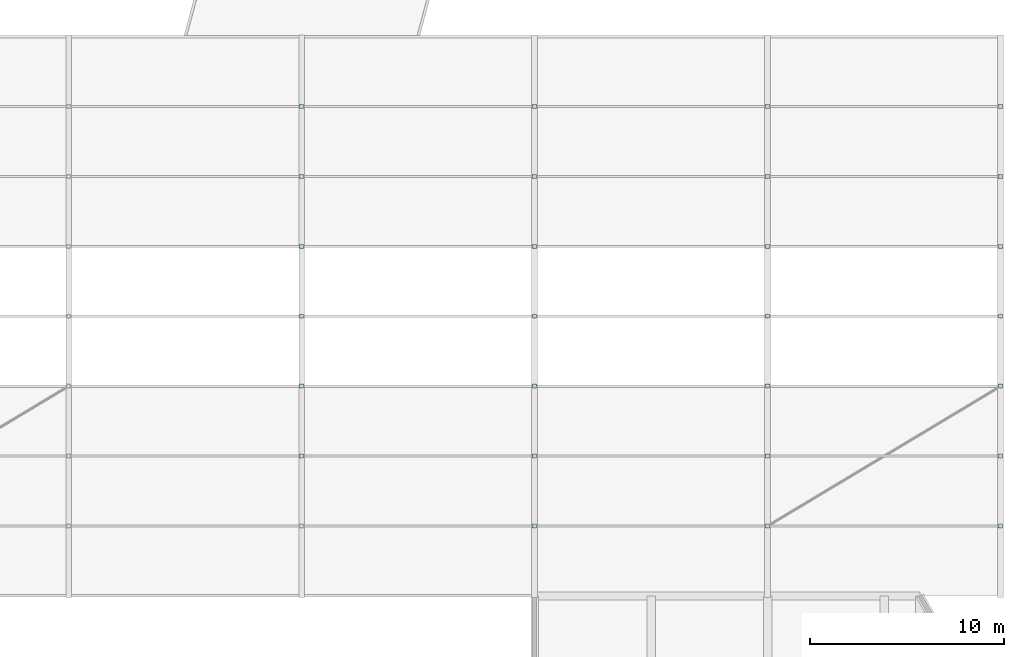
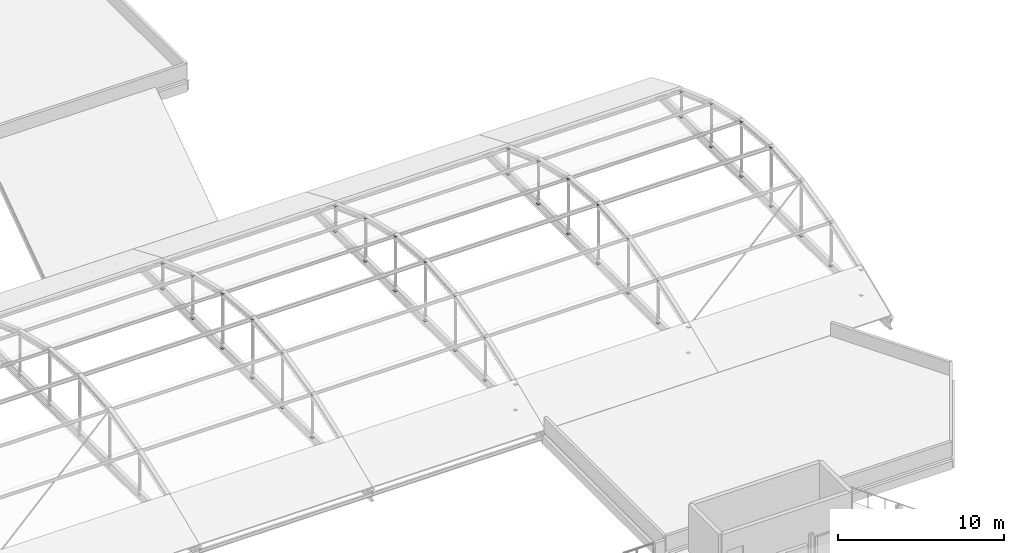
# One storey, part 225 of 239: 54 plates.
"""IFC4 building model written with IfcOpenShell, lengths in metres."""

import ifcopenshell
import ifcopenshell.guid

model = None  # the IFC model being written
_history = None  # IfcOwnerHistory: only IFC2X3 demands one
_inside = {}  # id of a spatial element -> (the spatial element, [elements in it])
_under = {}  # id of a project, library or spatial element -> (it, [spatial elements below it])
_declared = {}  # id of a project -> (the project, [libraries it declares])
_typed = {}  # id of a type object -> (the type object, [elements of that type])
_made_of = {}  # id of a material, layer set ... -> (it, [elements and type objects made of it])


def new_model(schema):
    """Start an empty IFC model of exactly this schema.

    Asked for "IFC4X3", IfcOpenShell would pick the latest addendum, in which some entities
    have other attributes; the version numbers below select the first issue.
    IFC2X3 requires an IfcOwnerHistory on every rooted entity: one is made here for all.
    """
    global model, _history
    if schema == "IFC4X3":
        model = ifcopenshell.file(schema_version=(4, 3, 0, 0))
    else:
        model = ifcopenshell.file(schema=schema)
    _inside.clear()
    _under.clear()
    _declared.clear()
    _typed.clear()
    _made_of.clear()
    _history = None
    if model.schema == "IFC2X3":
        org = make("IfcOrganization", Name="unknown")
        user = make(
            "IfcPersonAndOrganization",
            ThePerson=make("IfcPerson", FamilyName="unknown"),
            TheOrganization=org,
        )
        app = make(
            "IfcApplication",
            ApplicationDeveloper=org,
            Version="unknown",
            ApplicationFullName="unknown",
            ApplicationIdentifier="unknown",
        )
        _history = make(
            "IfcOwnerHistory",
            OwningUser=user,
            OwningApplication=app,
            ChangeAction="ADDED",
            CreationDate=0,
        )
    return model


def make(cls, **values):
    """One entity of the class cls with the attributes given. An attribute that is None is left unset."""
    return model.create_entity(
        cls, **{name: value for name, value in values.items() if value is not None}
    )


def rooted(cls, **values):
    """An entity with a GlobalId (a new one), such as an element, a storey or a relation."""
    return make(cls, GlobalId=ifcopenshell.guid.new(), OwnerHistory=_history, **values)


def si_unit(unit_type, name, prefix=None):
    """IfcSIUnit, for example si_unit("LENGTHUNIT", "METRE", prefix="MILLI")."""
    return make("IfcSIUnit", UnitType=unit_type, Prefix=prefix, Name=name)


def assignment(units):
    """IfcUnitAssignment: the units of a project."""
    return None if units is None else make("IfcUnitAssignment", Units=units)


def point(xyz):
    """IfcCartesianPoint."""
    return None if xyz is None else make("IfcCartesianPoint", Coordinates=xyz)


def direction(xyz):
    """IfcDirection."""
    return None if xyz is None else make("IfcDirection", DirectionRatios=xyz)


def frame(location, z_axis=None, x_axis=None):
    """IfcAxis2Placement3D, a coordinate frame: its origin and axes. An axis left out is left unset."""
    return make(
        "IfcAxis2Placement3D",
        Location=point(location),
        Axis=direction(z_axis),
        RefDirection=direction(x_axis),
    )


def frame_2d(location, x_axis=None):
    """IfcAxis2Placement2D, a coordinate frame in the plane: its origin and x axis."""
    return make(
        "IfcAxis2Placement2D", Location=point(location), RefDirection=direction(x_axis)
    )


def origin():
    """The frame at (0, 0, 0) with its axes left unset."""
    return frame((0.0, 0.0, 0.0))


def origin_2d():
    """The frame at (0, 0) in the plane with its x axis left unset."""
    return frame_2d((0.0, 0.0))


def place(relative_to, where):
    """IfcLocalPlacement: puts the frame where relative to a parent placement (None: the world)."""
    return make(
        "IfcLocalPlacement", PlacementRelTo=relative_to, RelativePlacement=where
    )


def context(
    kind, dimensions, precision=None, world=None, true_north=None, identifier=None
):
    """IfcGeometricRepresentationContext, for example the 3D "Model" context."""
    return make(
        "IfcGeometricRepresentationContext",
        ContextIdentifier=identifier,
        ContextType=kind,
        CoordinateSpaceDimension=dimensions,
        Precision=precision,
        WorldCoordinateSystem=world,
        TrueNorth=true_north,
    )


def subcontext(parent, identifier, kind, view, scale=None):
    """IfcGeometricRepresentationSubContext, for example "Body" below "Model"."""
    return make(
        "IfcGeometricRepresentationSubContext",
        ContextIdentifier=identifier,
        ContextType=kind,
        ParentContext=parent,
        TargetScale=scale,
        TargetView=view,
    )


def project(units=None, contexts=None):
    """IfcProject with its units and contexts."""
    return rooted(
        "IfcProject",
        Name="project",
        RepresentationContexts=contexts,
        UnitsInContext=assignment(units),
    )


def spatial(cls, under=None, at=None, **own):
    """A site, building, storey or space (cls), placed at a placement, below another one or the project."""
    s = rooted(cls, ObjectPlacement=at, **own)
    if under is not None:
        _under.setdefault(under.id(), (under, []))[1].append(s)
    return s


def profile(cls, at=None, kind="AREA", **sizes):
    """A parametric profile (cls). Its sizes go by their IFC names, for example OverallWidth=200.0."""
    return make(cls, ProfileType=kind, Position=at, **sizes)


def rectangle(**sizes):
    """IfcRectangleProfileDef."""
    return profile("IfcRectangleProfileDef", **sizes)


def extrude(swept, where, along, depth):
    """IfcExtrudedAreaSolid: the profile swept, set in the frame where, extruded along a direction by depth."""
    return make(
        "IfcExtrudedAreaSolid",
        SweptArea=swept,
        Position=where,
        ExtrudedDirection=direction(along),
        Depth=depth,
    )


def shape(context_of_items, identifier, shape_type, items):
    """IfcShapeRepresentation: the items that make up one representation, for example the "Body"."""
    return make(
        "IfcShapeRepresentation",
        ContextOfItems=context_of_items,
        RepresentationIdentifier=identifier,
        RepresentationType=shape_type,
        Items=items,
    )


def material(Name=None, Category=None):
    """IfcMaterial."""
    return make("IfcMaterial", Name=Name, Category=Category)


def layer(
    of_material, thickness, ventilated=None, Name=None, Category=None, Priority=None
):
    """IfcMaterialLayer: one layer of a wall or slab, of a material (None: an air gap)."""
    return make(
        "IfcMaterialLayer",
        Material=of_material,
        LayerThickness=thickness,
        IsVentilated=ventilated,
        Name=Name,
        Category=Category,
        Priority=Priority,
    )


def layer_set(layers, Name=None):
    """IfcMaterialLayerSet."""
    return make("IfcMaterialLayerSet", MaterialLayers=layers, LayerSetName=Name)


def made_of(thing, what):
    """Note that an element or type object is made of a material, layer set ...; save() writes the relation."""
    if what is not None:
        _made_of.setdefault(what.id(), (what, []))[1].append(thing)
    return thing


def type_object(cls, material=None, **own):
    """A type object (cls), such as IfcWallType, which elements share."""
    return made_of(rooted(cls, **own), material)


def element(
    cls,
    number,
    at=None,
    inside=None,
    cuts=None,
    type_object=None,
    material=None,
    context=None,
    identifier="Body",
    shape_type=None,
    held_by="IfcProductDefinitionShape",
    body=None,
    shapes=None,
    **own,
):
    """One element of the class cls, such as IfcWall. Its Tag is "e" and its number.

    at: its placement. inside: the storey or other place that contains it. cuts: it is an
    opening in that element (IfcRelVoidsElement). A single representation is given by context,
    identifier, shape_type and body (its items); several are given by shapes. held_by: the class
    of the entity that holds the representations. save() writes the other relations.
    """
    e = rooted(cls, Tag="e%d" % number, ObjectPlacement=at, **own)
    if body is not None:
        shapes = [shape(context, identifier, shape_type, body)]
    if shapes is not None:
        e.Representation = make(held_by, Representations=shapes)
    if inside is not None:
        _inside.setdefault(inside.id(), (inside, []))[1].append(e)
    if cuts is not None:
        rooted(
            "IfcRelVoidsElement", RelatingBuildingElement=cuts, RelatedOpeningElement=e
        )
    if type_object is not None:
        _typed.setdefault(type_object.id(), (type_object, []))[1].append(e)
    return made_of(e, material)


def aggregate(whole, parts):
    """IfcRelAggregates: a whole, such as a stair, and the parts it consists of."""
    return rooted("IfcRelAggregates", RelatingObject=whole, RelatedObjects=parts)


def save(model, path):
    """Write the relations noted so far, then the file.

    IfcRelAggregates (storeys below a building ...), IfcRelContainedInSpatialStructure (elements
    in a storey), IfcRelDefinesByType, IfcRelAssociatesMaterial and IfcRelDeclares: one each for
    every whole, place, type object, material and project.
    """
    for whole, parts in _under.values():
        aggregate(whole, parts)
    for where, things in _inside.values():
        rooted(
            "IfcRelContainedInSpatialStructure",
            RelatedElements=things,
            RelatingStructure=where,
        )
    for kind, things in _typed.values():
        rooted("IfcRelDefinesByType", RelatedObjects=things, RelatingType=kind)
    for what, things in _made_of.values():
        rooted("IfcRelAssociatesMaterial", RelatedObjects=things, RelatingMaterial=what)
    for by, libraries in _declared.values():
        rooted("IfcRelDeclares", RelatingContext=by, RelatedDefinitions=libraries)
    model.write(path)


model = new_model("IFC4")

# Units and contexts
model_context = context("Model", 3, precision=1e-05, world=origin(), true_north=direction((0.0, 1.0)))
body_context = subcontext(model_context, "Body", "Model", "MODEL_VIEW")
ifc_project = project(units=[si_unit("LENGTHUNIT", "METRE"), si_unit("AREAUNIT", "SQUARE_METRE"), si_unit("VOLUMEUNIT", "CUBIC_METRE"), si_unit("PLANEANGLEUNIT", "RADIAN"), si_unit("MASSUNIT", "GRAM", prefix="KILO")], contexts=[model_context])

# Site, building, storey
site_placement = place(None, origin())
site = spatial("IfcSite", under=ifc_project, at=site_placement, CompositionType="ELEMENT")
building_placement = place(site_placement, origin())
building = spatial("IfcBuilding", under=site, at=building_placement, Name="Dunvalen Ferry Terminal", CompositionType="ELEMENT")
storey_placement = place(building_placement, frame((0.0, 0.0, 9.840087890625)))
storey = spatial("IfcBuildingStorey", under=building, at=storey_placement, Name="L02", CompositionType="ELEMENT", Elevation=9.840087890625)

# Plates
ifc_material = material(Name="Steel S355", Category="steel")
ifc_layer_1 = layer(ifc_material, 0.02001953125, Name="Steel S355")
ifc_layer_set_1 = layer_set([ifc_layer_1], Name="Steel S355")
plate_type_1 = type_object("IfcPlateType", Name="STR-PL-GUSSET-01", PredefinedType="USERDEFINED", material=ifc_layer_set_1)
for number, where, z_axis, x_axis, name in (
    (1, (132.0, 64.800048828125, -0.35009765625), (0.0, 0.0, 1.0), (1.0, 0.0, 0.0), "L02 Brace-Strut End Cleat Plate 457"),
    (2, (132.0, 68.39990234375, -0.35009765625), (0.0, 0.0, 1.0), (1.0, 0.0, 0.0), "L02 Brace-Strut End Cleat Plate 459"),
    (3, (132.0, 72.0, -0.35009765625), (0.0, 0.0, 1.0), (1.0, 0.0, 0.0), "L02 Brace-Strut End Cleat Plate 461"),
    (4, (132.0, 75.60009765625, -0.35009765625), (0.0, 0.0, 1.0), (1.0, 0.0, 0.0), "L02 Brace-Strut End Cleat Plate 463"),
    (5, (132.0, 79.199951171875, -0.35009765625), (0.0, 0.0, 1.0), (1.0, 0.0, 0.0), "L02 Brace-Strut End Cleat Plate 465"),
    (6, (132.0, 82.800048828125, -0.35009765625), (0.0, 0.0, 1.0), (1.0, 0.0, 0.0), "L02 Brace-Strut End Cleat Plate 467"),
    (7, (144.0, 61.199951171875, -0.35009765625), (0.0, 0.0, 1.0), (1.0, 0.0, 0.0), "L02 Brace-Strut End Cleat Plate 469"),
    (8, (144.0, 64.800048828125, -0.35009765625), (0.0, 0.0, 1.0), (1.0, 0.0, 0.0), "L02 Brace-Strut End Cleat Plate 471"),
    (9, (144.0, 68.39990234375, -0.35009765625), (0.0, 0.0, 1.0), (1.0, 0.0, 0.0), "L02 Brace-Strut End Cleat Plate 473"),
    (10, (144.0, 72.0, -0.35009765625), (0.0, 0.0, 1.0), (1.0, 0.0, 0.0), "L02 Brace-Strut End Cleat Plate 475"),
    (11, (144.0, 75.60009765625, -0.35009765625), (0.0, 0.0, 1.0), (1.0, 0.0, 0.0), "L02 Brace-Strut End Cleat Plate 477"),
    (12, (144.0, 79.199951171875, -0.35009765625), (0.0, 0.0, 1.0), (1.0, 0.0, 0.0), "L02 Brace-Strut End Cleat Plate 479"),
    (13, (144.0, 82.800048828125, -0.35009765625), (0.0, 0.0, 1.0), (1.0, 0.0, 0.0), "L02 Brace-Strut End Cleat Plate 481"),
    (14, (156.0, 61.199951171875, -0.35009765625), (0.0, 0.0, 1.0), (1.0, 0.0, 0.0), "L02 Brace-Strut End Cleat Plate 483"),
    (15, (156.0, 64.800048828125, -0.35009765625), (0.0, 0.0, 1.0), (1.0, 0.0, 0.0), "L02 Brace-Strut End Cleat Plate 485"),
    (16, (156.0, 68.39990234375, -0.35009765625), (0.0, 0.0, 1.0), (1.0, 0.0, 0.0), "L02 Brace-Strut End Cleat Plate 487"),
    (17, (156.0, 72.0, -0.35009765625), (0.0, 0.0, 1.0), (1.0, 0.0, 0.0), "L02 Brace-Strut End Cleat Plate 489"),
    (18, (156.0, 75.60009765625, -0.35009765625), (0.0, 0.0, 1.0), (1.0, 0.0, 0.0), "L02 Brace-Strut End Cleat Plate 491"),
    (19, (156.0, 79.199951171875, -0.35009765625), (0.0, 0.0, 1.0), (1.0, 0.0, 0.0), "L02 Brace-Strut End Cleat Plate 493"),
    (20, (156.0, 82.800048828125, -0.35009765625), (0.0, 0.0, 1.0), (1.0, 0.0, 0.0), "L02 Brace-Strut End Cleat Plate 495"),
    (21, (168.0, 61.199951171875, -0.35009765625), (0.0, 0.0, 1.0), (1.0, 0.0, 0.0), "L02 Brace-Strut End Cleat Plate 497"),
    (22, (168.0, 64.800048828125, -0.35009765625), (0.0, 0.0, 1.0), (1.0, 0.0, 0.0), "L02 Brace-Strut End Cleat Plate 499"),
    (23, (168.0, 68.39990234375, -0.35009765625), (0.0, 0.0, 1.0), (1.0, 0.0, 0.0), "L02 Brace-Strut End Cleat Plate 501"),
    (24, (168.0, 72.0, -0.35009765625), (0.0, 0.0, 1.0), (1.0, 0.0, 0.0), "L02 Brace-Strut End Cleat Plate 503"),
    (25, (168.0, 75.60009765625, -0.35009765625), (0.0, 0.0, 1.0), (1.0, 0.0, 0.0), "L02 Brace-Strut End Cleat Plate 505"),
    (26, (168.0, 79.199951171875, -0.35009765625), (0.0, 0.0, 1.0), (1.0, 0.0, 0.0), "L02 Brace-Strut End Cleat Plate 507"),
    (27, (168.0, 82.800048828125, -0.35009765625), (0.0, 0.0, 1.0), (1.0, 0.0, 0.0), "L02 Brace-Strut End Cleat Plate 509"),
):
    element("IfcPlate", number, at=place(storey_placement, frame(where, z_axis=z_axis, x_axis=x_axis)), inside=storey, type_object=plate_type_1, Name=name, ObjectType="GUSSET PLATE", PredefinedType="USERDEFINED", context=body_context, shape_type="SweptSolid", body=[
        extrude(rectangle(XDim=0.199951171875, YDim=0.199951171875, at=origin_2d()), origin(), (0.0, 0.0, 1.0), 0.02001953125),
    ])
ifc_layer_2 = layer(ifc_material, 0.02587890625, Name="Steel S355")
ifc_layer_set_2 = layer_set([ifc_layer_2], Name="Steel S355")
plate_type_2 = type_object("IfcPlateType", Name="STR-PL-GUSSET-02", PredefinedType="USERDEFINED", material=ifc_layer_set_2)
for number, where, z_axis, x_axis, name in (
    (28, (132.0, 64.800048828125, 2.8154296875), (0.0, 0.0, 1.0), (1.0, 0.0, 0.0), "L02 Brace-Strut End Cleat Plate 458"),
    (29, (132.0, 68.39990234375, 3.682373046875), (0.0, 0.0, 1.0), (1.0, 0.0, 0.0), "L02 Brace-Strut End Cleat Plate 460"),
    (30, (132.0, 72.0, 3.987060546875), (0.0, 0.0, 1.0), (1.0, 0.0, 0.0), "L02 Brace-Strut End Cleat Plate 462"),
    (31, (132.0, 75.60009765625, 3.682373046875), (0.0, 0.0, 1.0), (1.0, 0.0, 0.0), "L02 Brace-Strut End Cleat Plate 464"),
    (32, (132.0, 79.199951171875, 2.8154296875), (0.0, 0.0, 1.0), (1.0, 0.0, 0.0), "L02 Brace-Strut End Cleat Plate 466"),
    (33, (132.0, 82.800048828125, 1.517578125), (0.0, 0.0, 1.0), (1.0, 0.0, 0.0), "L02 Brace-Strut End Cleat Plate 468"),
    (34, (144.0, 61.199951171875, 1.517578125), (0.0, 0.0, 1.0), (1.0, 0.0, 0.0), "L02 Brace-Strut End Cleat Plate 470"),
    (35, (144.0, 64.800048828125, 2.8154296875), (0.0, 0.0, 1.0), (1.0, 0.0, 0.0), "L02 Brace-Strut End Cleat Plate 472"),
    (36, (144.0, 68.39990234375, 3.682373046875), (0.0, 0.0, 1.0), (1.0, 0.0, 0.0), "L02 Brace-Strut End Cleat Plate 474"),
    (37, (144.0, 72.0, 3.987060546875), (0.0, 0.0, 1.0), (1.0, 0.0, 0.0), "L02 Brace-Strut End Cleat Plate 476"),
    (38, (144.0, 75.60009765625, 3.682373046875), (0.0, 0.0, 1.0), (1.0, 0.0, 0.0), "L02 Brace-Strut End Cleat Plate 478"),
    (39, (144.0, 79.199951171875, 2.8154296875), (0.0, 0.0, 1.0), (1.0, 0.0, 0.0), "L02 Brace-Strut End Cleat Plate 480"),
    (40, (144.0, 82.800048828125, 1.517578125), (0.0, 0.0, 1.0), (1.0, 0.0, 0.0), "L02 Brace-Strut End Cleat Plate 482"),
    (41, (156.0, 61.199951171875, 1.517578125), (0.0, 0.0, 1.0), (1.0, 0.0, 0.0), "L02 Brace-Strut End Cleat Plate 484"),
    (42, (156.0, 64.800048828125, 2.8154296875), (0.0, 0.0, 1.0), (1.0, 0.0, 0.0), "L02 Brace-Strut End Cleat Plate 486"),
    (43, (156.0, 68.39990234375, 3.682373046875), (0.0, 0.0, 1.0), (1.0, 0.0, 0.0), "L02 Brace-Strut End Cleat Plate 488"),
    (44, (156.0, 72.0, 3.987060546875), (0.0, 0.0, 1.0), (1.0, 0.0, 0.0), "L02 Brace-Strut End Cleat Plate 490"),
    (45, (156.0, 75.60009765625, 3.682373046875), (0.0, 0.0, 1.0), (1.0, 0.0, 0.0), "L02 Brace-Strut End Cleat Plate 492"),
    (46, (156.0, 79.199951171875, 2.8154296875), (0.0, 0.0, 1.0), (1.0, 0.0, 0.0), "L02 Brace-Strut End Cleat Plate 494"),
    (47, (156.0, 82.800048828125, 1.517578125), (0.0, 0.0, 1.0), (1.0, 0.0, 0.0), "L02 Brace-Strut End Cleat Plate 496"),
    (48, (168.0, 61.199951171875, 1.517578125), (0.0, 0.0, 1.0), (1.0, 0.0, 0.0), "L02 Brace-Strut End Cleat Plate 498"),
    (49, (168.0, 64.800048828125, 2.8154296875), (0.0, 0.0, 1.0), (1.0, 0.0, 0.0), "L02 Brace-Strut End Cleat Plate 500"),
    (50, (168.0, 68.39990234375, 3.682373046875), (0.0, 0.0, 1.0), (1.0, 0.0, 0.0), "L02 Brace-Strut End Cleat Plate 502"),
    (51, (168.0, 72.0, 3.987060546875), (0.0, 0.0, 1.0), (1.0, 0.0, 0.0), "L02 Brace-Strut End Cleat Plate 504"),
    (52, (168.0, 75.60009765625, 3.682373046875), (0.0, 0.0, 1.0), (1.0, 0.0, 0.0), "L02 Brace-Strut End Cleat Plate 506"),
    (53, (168.0, 79.199951171875, 2.8154296875), (0.0, 0.0, 1.0), (1.0, 0.0, 0.0), "L02 Brace-Strut End Cleat Plate 508"),
    (54, (168.0, 82.800048828125, 1.517578125), (0.0, 0.0, 1.0), (1.0, 0.0, 0.0), "L02 Brace-Strut End Cleat Plate 510"),
):
    element("IfcPlate", number, at=place(storey_placement, frame(where, z_axis=z_axis, x_axis=x_axis)), inside=storey, type_object=plate_type_2, Name=name, ObjectType="GUSSET PLATE", PredefinedType="USERDEFINED", context=body_context, shape_type="SweptSolid", body=[
        extrude(rectangle(XDim=0.199951171875, YDim=0.199951171875, at=origin_2d()), origin(), (0.0, 0.0, 1.0), 0.02587890625),
    ])

save(model, "model.ifc")
